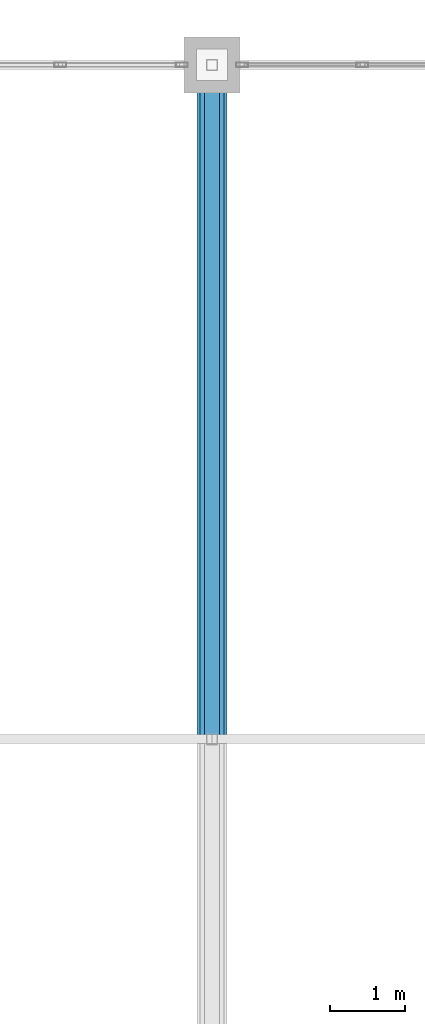
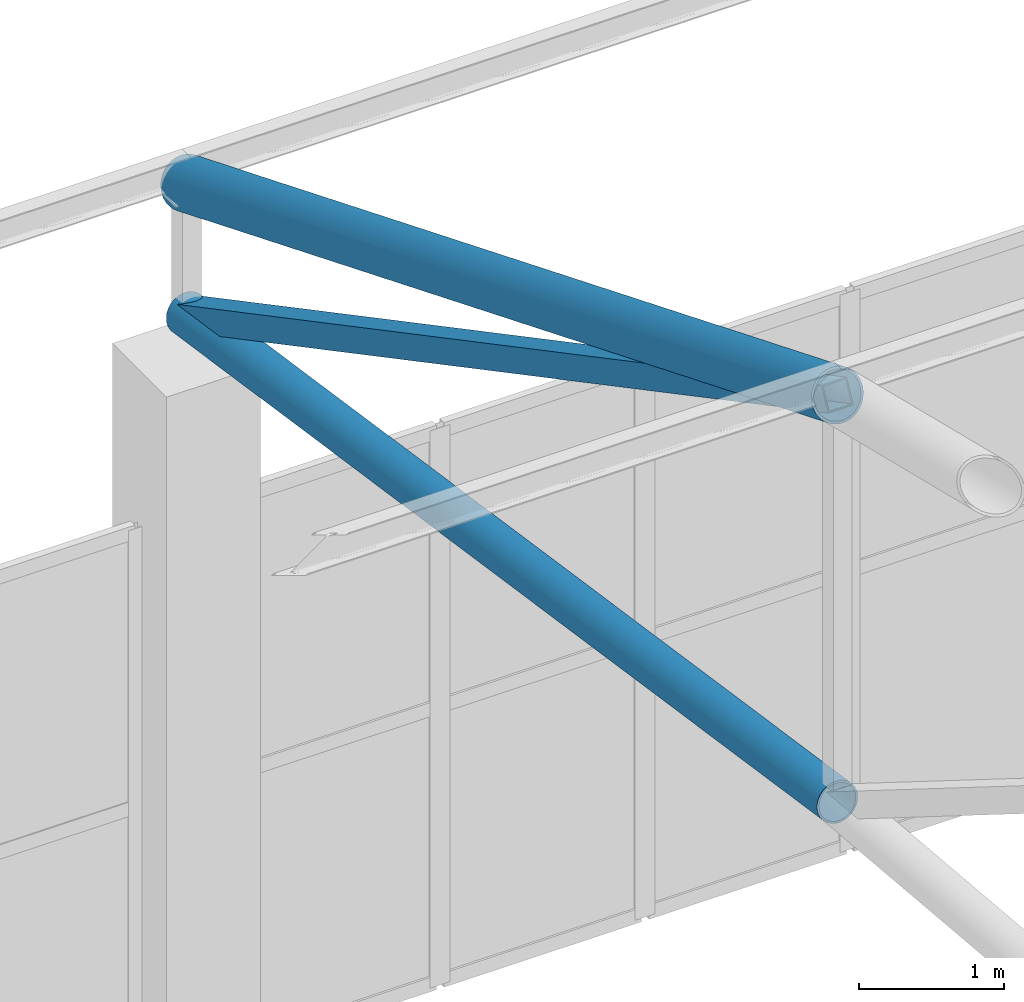
# One storey, part 155 of 223: 3 members.
"""IFC4 building model written with IfcOpenShell, lengths in metres."""

import ifcopenshell
import ifcopenshell.guid

model = None  # the IFC model being written
_history = None  # IfcOwnerHistory: only IFC2X3 demands one
_inside = {}  # id of a spatial element -> (the spatial element, [elements in it])
_under = {}  # id of a project, library or spatial element -> (it, [spatial elements below it])
_declared = {}  # id of a project -> (the project, [libraries it declares])
_typed = {}  # id of a type object -> (the type object, [elements of that type])
_made_of = {}  # id of a material, layer set ... -> (it, [elements and type objects made of it])


def new_model(schema):
    """Start an empty IFC model of exactly this schema.

    Asked for "IFC4X3", IfcOpenShell would pick the latest addendum, in which some entities
    have other attributes; the version numbers below select the first issue.
    IFC2X3 requires an IfcOwnerHistory on every rooted entity: one is made here for all.
    """
    global model, _history
    if schema == "IFC4X3":
        model = ifcopenshell.file(schema_version=(4, 3, 0, 0))
    else:
        model = ifcopenshell.file(schema=schema)
    _inside.clear()
    _under.clear()
    _declared.clear()
    _typed.clear()
    _made_of.clear()
    _history = None
    if model.schema == "IFC2X3":
        org = make("IfcOrganization", Name="unknown")
        user = make(
            "IfcPersonAndOrganization",
            ThePerson=make("IfcPerson", FamilyName="unknown"),
            TheOrganization=org,
        )
        app = make(
            "IfcApplication",
            ApplicationDeveloper=org,
            Version="unknown",
            ApplicationFullName="unknown",
            ApplicationIdentifier="unknown",
        )
        _history = make(
            "IfcOwnerHistory",
            OwningUser=user,
            OwningApplication=app,
            ChangeAction="ADDED",
            CreationDate=0,
        )
    return model


def make(cls, **values):
    """One entity of the class cls with the attributes given. An attribute that is None is left unset."""
    return model.create_entity(
        cls, **{name: value for name, value in values.items() if value is not None}
    )


def rooted(cls, **values):
    """An entity with a GlobalId (a new one), such as an element, a storey or a relation."""
    return make(cls, GlobalId=ifcopenshell.guid.new(), OwnerHistory=_history, **values)


def si_unit(unit_type, name, prefix=None):
    """IfcSIUnit, for example si_unit("LENGTHUNIT", "METRE", prefix="MILLI")."""
    return make("IfcSIUnit", UnitType=unit_type, Prefix=prefix, Name=name)


def assignment(units):
    """IfcUnitAssignment: the units of a project."""
    return None if units is None else make("IfcUnitAssignment", Units=units)


def point(xyz):
    """IfcCartesianPoint."""
    return None if xyz is None else make("IfcCartesianPoint", Coordinates=xyz)


def direction(xyz):
    """IfcDirection."""
    return None if xyz is None else make("IfcDirection", DirectionRatios=xyz)


def frame(location, z_axis=None, x_axis=None):
    """IfcAxis2Placement3D, a coordinate frame: its origin and axes. An axis left out is left unset."""
    return make(
        "IfcAxis2Placement3D",
        Location=point(location),
        Axis=direction(z_axis),
        RefDirection=direction(x_axis),
    )


def frame_2d(location, x_axis=None):
    """IfcAxis2Placement2D, a coordinate frame in the plane: its origin and x axis."""
    return make(
        "IfcAxis2Placement2D", Location=point(location), RefDirection=direction(x_axis)
    )


def origin():
    """The frame at (0, 0, 0) with its axes left unset."""
    return frame((0.0, 0.0, 0.0))


def origin_2d():
    """The frame at (0, 0) in the plane with its x axis left unset."""
    return frame_2d((0.0, 0.0))


def place(relative_to, where):
    """IfcLocalPlacement: puts the frame where relative to a parent placement (None: the world)."""
    return make(
        "IfcLocalPlacement", PlacementRelTo=relative_to, RelativePlacement=where
    )


def context(
    kind, dimensions, precision=None, world=None, true_north=None, identifier=None
):
    """IfcGeometricRepresentationContext, for example the 3D "Model" context."""
    return make(
        "IfcGeometricRepresentationContext",
        ContextIdentifier=identifier,
        ContextType=kind,
        CoordinateSpaceDimension=dimensions,
        Precision=precision,
        WorldCoordinateSystem=world,
        TrueNorth=true_north,
    )


def subcontext(parent, identifier, kind, view, scale=None):
    """IfcGeometricRepresentationSubContext, for example "Body" below "Model"."""
    return make(
        "IfcGeometricRepresentationSubContext",
        ContextIdentifier=identifier,
        ContextType=kind,
        ParentContext=parent,
        TargetScale=scale,
        TargetView=view,
    )


def project(units=None, contexts=None):
    """IfcProject with its units and contexts."""
    return rooted(
        "IfcProject",
        Name="project",
        RepresentationContexts=contexts,
        UnitsInContext=assignment(units),
    )


def spatial(cls, under=None, at=None, **own):
    """A site, building, storey or space (cls), placed at a placement, below another one or the project."""
    s = rooted(cls, ObjectPlacement=at, **own)
    if under is not None:
        _under.setdefault(under.id(), (under, []))[1].append(s)
    return s


def profile(cls, at=None, kind="AREA", **sizes):
    """A parametric profile (cls). Its sizes go by their IFC names, for example OverallWidth=200.0."""
    return make(cls, ProfileType=kind, Position=at, **sizes)


def hollow_rectangle(**sizes):
    """IfcRectangleHollowProfileDef."""
    return profile("IfcRectangleHollowProfileDef", **sizes)


def hollow_circle(**sizes):
    """IfcCircleHollowProfileDef."""
    return profile("IfcCircleHollowProfileDef", **sizes)


def extrude(swept, where, along, depth):
    """IfcExtrudedAreaSolid: the profile swept, set in the frame where, extruded along a direction by depth."""
    return make(
        "IfcExtrudedAreaSolid",
        SweptArea=swept,
        Position=where,
        ExtrudedDirection=direction(along),
        Depth=depth,
    )


def shape(context_of_items, identifier, shape_type, items):
    """IfcShapeRepresentation: the items that make up one representation, for example the "Body"."""
    return make(
        "IfcShapeRepresentation",
        ContextOfItems=context_of_items,
        RepresentationIdentifier=identifier,
        RepresentationType=shape_type,
        Items=items,
    )


def material(Name=None, Category=None):
    """IfcMaterial."""
    return make("IfcMaterial", Name=Name, Category=Category)


def material_profile(
    of_material, cross_section, Name=None, Category=None, Priority=None
):
    """IfcMaterialProfile: a cross section and its material."""
    return make(
        "IfcMaterialProfile",
        Name=Name,
        Material=of_material,
        Profile=cross_section,
        Priority=Priority,
        Category=Category,
    )


def profile_set(profiles, Name=None, composite=None):
    """IfcMaterialProfileSet."""
    return make(
        "IfcMaterialProfileSet",
        Name=Name,
        MaterialProfiles=profiles,
        CompositeProfile=composite,
    )


def made_of(thing, what):
    """Note that an element or type object is made of a material, layer set ...; save() writes the relation."""
    if what is not None:
        _made_of.setdefault(what.id(), (what, []))[1].append(thing)
    return thing


def type_object(cls, material=None, **own):
    """A type object (cls), such as IfcWallType, which elements share."""
    return made_of(rooted(cls, **own), material)


def element(
    cls,
    number,
    at=None,
    inside=None,
    cuts=None,
    type_object=None,
    material=None,
    context=None,
    identifier="Body",
    shape_type=None,
    held_by="IfcProductDefinitionShape",
    body=None,
    shapes=None,
    **own,
):
    """One element of the class cls, such as IfcWall. Its Tag is "e" and its number.

    at: its placement. inside: the storey or other place that contains it. cuts: it is an
    opening in that element (IfcRelVoidsElement). A single representation is given by context,
    identifier, shape_type and body (its items); several are given by shapes. held_by: the class
    of the entity that holds the representations. save() writes the other relations.
    """
    e = rooted(cls, Tag="e%d" % number, ObjectPlacement=at, **own)
    if body is not None:
        shapes = [shape(context, identifier, shape_type, body)]
    if shapes is not None:
        e.Representation = make(held_by, Representations=shapes)
    if inside is not None:
        _inside.setdefault(inside.id(), (inside, []))[1].append(e)
    if cuts is not None:
        rooted(
            "IfcRelVoidsElement", RelatingBuildingElement=cuts, RelatedOpeningElement=e
        )
    if type_object is not None:
        _typed.setdefault(type_object.id(), (type_object, []))[1].append(e)
    return made_of(e, material)


def aggregate(whole, parts):
    """IfcRelAggregates: a whole, such as a stair, and the parts it consists of."""
    return rooted("IfcRelAggregates", RelatingObject=whole, RelatedObjects=parts)


def save(model, path):
    """Write the relations noted so far, then the file.

    IfcRelAggregates (storeys below a building ...), IfcRelContainedInSpatialStructure (elements
    in a storey), IfcRelDefinesByType, IfcRelAssociatesMaterial and IfcRelDeclares: one each for
    every whole, place, type object, material and project.
    """
    for whole, parts in _under.values():
        aggregate(whole, parts)
    for where, things in _inside.values():
        rooted(
            "IfcRelContainedInSpatialStructure",
            RelatedElements=things,
            RelatingStructure=where,
        )
    for kind, things in _typed.values():
        rooted("IfcRelDefinesByType", RelatedObjects=things, RelatingType=kind)
    for what, things in _made_of.values():
        rooted("IfcRelAssociatesMaterial", RelatedObjects=things, RelatingMaterial=what)
    for by, libraries in _declared.values():
        rooted("IfcRelDeclares", RelatingContext=by, RelatedDefinitions=libraries)
    model.write(path)


model = new_model("IFC4")

# Units and contexts
model_context = context("Model", 3, precision=1e-05, world=origin(), true_north=direction((0.0, 1.0)))
body_context = subcontext(model_context, "Body", "Model", "MODEL_VIEW")
ifc_project = project(units=[si_unit("LENGTHUNIT", "METRE"), si_unit("AREAUNIT", "SQUARE_METRE"), si_unit("VOLUMEUNIT", "CUBIC_METRE"), si_unit("PLANEANGLEUNIT", "RADIAN"), si_unit("MASSUNIT", "GRAM", prefix="KILO")], contexts=[model_context])

# Site, building, storey
site_placement = place(None, origin())
site = spatial("IfcSite", under=ifc_project, at=site_placement, CompositionType="ELEMENT")
building_placement = place(site_placement, origin())
building = spatial("IfcBuilding", under=site, at=building_placement, Name="Dornveld Trade and Exhibition Forum", CompositionType="ELEMENT")
storey_placement = place(building_placement, frame((0.0, 0.0, 6.0)))
storey = spatial("IfcBuildingStorey", under=building, at=storey_placement, Name="L01", CompositionType="ELEMENT", Elevation=6.0)

# Members
ifc_material_1 = material(Name="Steel S355J2", Category="steel")
ifc_material_profile_1 = material_profile(ifc_material_1, hollow_circle(Radius=0.161865234375, WallThickness=0.01611328125, at=origin_2d()), Name="CHS 323.9x16")
ifc_profile_set_1 = profile_set([ifc_material_profile_1], Name="Steel S355J2")
member_type_1 = type_object("IfcMemberType", Name="MEM-ARCH-BC", PredefinedType="CHORD", material=ifc_profile_set_1)
member_1_placement = place(storey_placement, frame((162.0, 153.0, 7.683349609375), z_axis=(0.0, 0.989204758987, -0.146539908551), x_axis=(-1.0, 0.0, 0.0)))
element("IfcMember", 1, at=member_1_placement, inside=storey, type_object=member_type_1, Name="H1 truss 8 tie chord 6", PredefinedType="CHORD", context=body_context, shape_type="SweptSolid", body=[
    extrude(hollow_circle(Radius=0.161865234375, WallThickness=0.01611328125, at=origin_2d()), origin(), (0.0, 0.0, 1.0), 9.09814453125),
])
ifc_material_2 = material(Name="Steel S355J2", Category="steel")
ifc_material_profile_2 = material_profile(ifc_material_2, hollow_circle(Radius=0.203125, WallThickness=0.02001953125, at=origin_2d()), Name="CHS 406.4x20")
ifc_profile_set_2 = profile_set([ifc_material_profile_2], Name="Steel S355J2")
member_type_2 = type_object("IfcMemberType", Name="MEM-ARCH-TC", PredefinedType="CHORD", material=ifc_profile_set_2)
member_2_placement = place(storey_placement, frame((162.0, 153.0, 11.11669921875), z_axis=(0.0, 0.926089433793, -0.377304069177), x_axis=(-1.0, 0.0, 0.0)))
element("IfcMember", 2, at=member_2_placement, inside=storey, type_object=member_type_2, Name="H1 truss 8 top chord 6", PredefinedType="CHORD", context=body_context, shape_type="SweptSolid", body=[
    extrude(hollow_circle(Radius=0.203125, WallThickness=0.02001953125, at=origin_2d()), origin(), (0.0, 0.0, 1.0), 9.71826171875),
])
ifc_material_3 = material(Name="Steel S355J2", Category="steel")
ifc_material_profile_3 = material_profile(ifc_material_3, hollow_rectangle(XDim=0.199951171875, YDim=0.199951171875, WallThickness=0.010009765625, at=origin_2d()), Name="SHS 200x200x10")
ifc_profile_set_3 = profile_set([ifc_material_profile_3], Name="Steel S355J2")
member_type_3 = type_object("IfcMemberType", Name="MEM-ARCH-WEB", PredefinedType="BRACE", material=ifc_profile_set_3)
member_3_placement = place(storey_placement, frame((162.0, 162.0, 6.35009765625), z_axis=(0.0, -0.883710934211, 0.468033102201), x_axis=(1.0, 0.0, 0.0)))
element("IfcMember", 3, at=member_3_placement, inside=storey, type_object=member_type_3, Name="H1 truss 8 web 6", PredefinedType="BRACE", context=body_context, shape_type="SweptSolid", body=[
    extrude(hollow_rectangle(XDim=0.199951171875, YDim=0.199951171875, WallThickness=0.010009765625, at=origin_2d()), origin(), (0.0, 0.0, 1.0), 10.184326171875),
])

save(model, "model.ifc")
